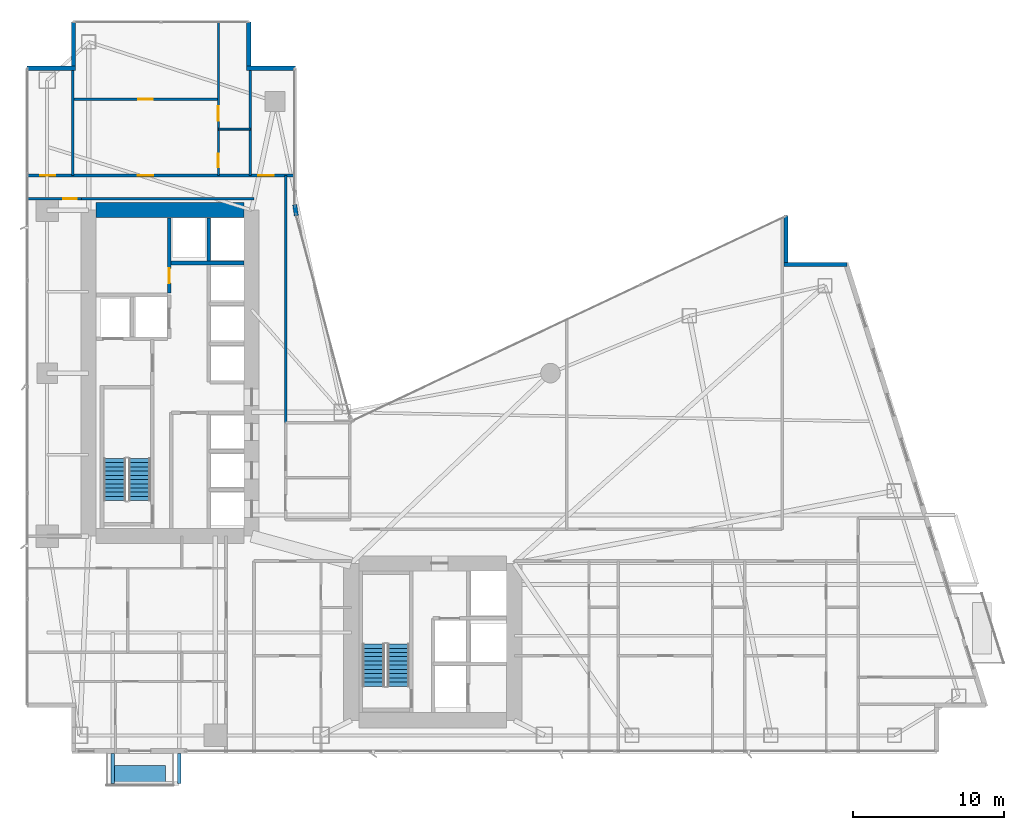
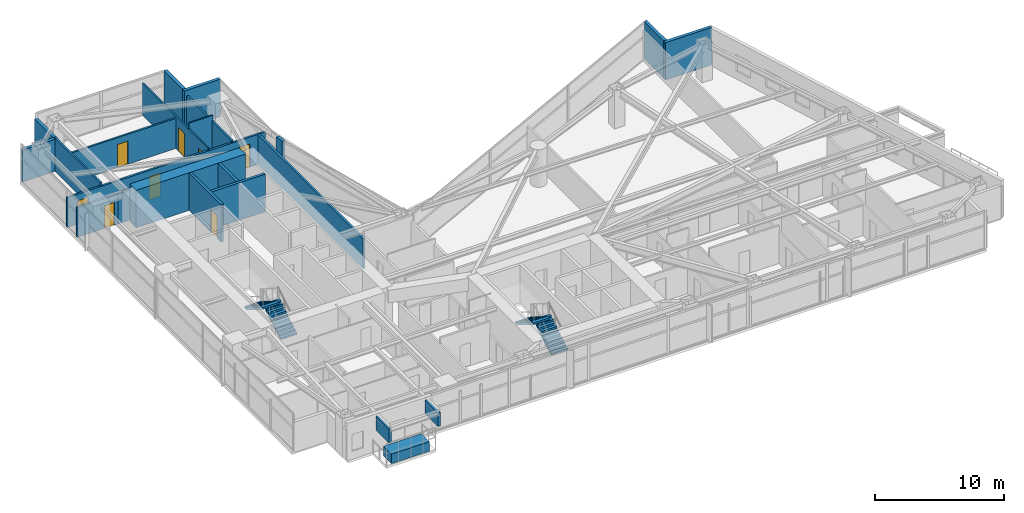
# One storey, part 25 of 30: 20 walls, 8 doors, 4 stair flights, 3 discrete accessories, 8 openings, 2 elements without a shape of their own.
"""IFC4 building model written with IfcOpenShell, lengths in metres."""

from ifc_helpers import new_model, si_unit, direction, frame, frame_2d, origin, origin_2d, place, context, subcontext, project, spatial, polyline, rectangle, outline, extrude, material, layer, layer_set, type_object, element, fill, aggregate, save


model = new_model("IFC4")

# Units and contexts
model_context = context("Model", 3, precision=1e-05, world=origin(), true_north=direction((0.0, 1.0)))
body_context = subcontext(model_context, "Body", "Model", "MODEL_VIEW")
ifc_project = project(units=[si_unit("LENGTHUNIT", "METRE"), si_unit("AREAUNIT", "SQUARE_METRE"), si_unit("VOLUMEUNIT", "CUBIC_METRE"), si_unit("PLANEANGLEUNIT", "RADIAN"), si_unit("MASSUNIT", "GRAM", prefix="KILO")], contexts=[model_context])

# Site, building, storey
site_placement = place(None, origin())
site = spatial("IfcSite", under=ifc_project, at=site_placement, CompositionType="ELEMENT")
building_placement = place(site_placement, origin())
building = spatial("IfcBuilding", under=site, at=building_placement, Name="Calvorn Quay Hotel", CompositionType="ELEMENT")
storey_placement = place(building_placement, frame((0.0, 0.0, 30.800048828125)))
storey = spatial("IfcBuildingStorey", under=building, at=storey_placement, Name="L06", CompositionType="ELEMENT", Elevation=30.800048828125)

# Wall
ifc_material_1 = material(Name="Concrete C60", Category="concrete")
ifc_layer_1 = layer(ifc_material_1, 1.0)
ifc_layer_set_1 = layer_set([ifc_layer_1], Name="WL-CORE-1000")
wall_type_1 = type_object("IfcWallType", Name="WL-CORE-1000", PredefinedType="SHEAR", material=ifc_layer_set_1)
wall_1_placement = place(storey_placement, frame((4.699951171875, 38.39990234375, 0.0), z_axis=(0.0, 0.0, 1.0), x_axis=(1.0, 0.0, 0.0)))
element("IfcWall", 1, at=wall_1_placement, inside=storey, type_object=wall_type_1, Name="West Core Shear Wall N (L06)", PredefinedType="SHEAR", context=body_context, shape_type="SweptSolid", body=[
    extrude(rectangle(XDim=9.800048828125, YDim=1.0, at=frame_2d((4.89990234375, 0.0))), origin(), (0.0, 0.0, 1.0), 3.56005859375),
])

# Wall, opening, door
ifc_material_2 = material(Name="Acoustic Fireboard Steel-Stud Partition", Category="steel")
ifc_layer_2 = layer(ifc_material_2, 0.179931640625)
ifc_layer_set_2 = layer_set([ifc_layer_2], Name="WL-CORR-FIRE-180")
wall_type_2 = type_object("IfcWallType", Name="WL-CORR-FIRE-180", PredefinedType="PARTITIONING", material=ifc_layer_set_2)
wall_2_placement = place(storey_placement, frame((0.080078125, 39.14990234375, 0.0), z_axis=(0.0, 0.0, 1.0), x_axis=(1.0, 0.0, 0.0)))
wall_2 = element("IfcWall", 2, at=wall_2_placement, inside=storey, type_object=wall_type_2, Name="Partition Wall L06-WL-WBAY-N-DOOR", PredefinedType="PARTITIONING", context=body_context, shape_type="SweptSolid", body=[
    extrude(rectangle(XDim=3.64990234375, YDim=0.179931640625, at=frame_2d((1.824951171875, 0.0))), origin(), (0.0, 0.0, 1.0), 2.83984375),
])
opening_1_placement = place(wall_2_placement, frame((2.429931640625, 0.0, 0.0)))
opening_1 = element("IfcOpeningElement", 3, at=opening_1_placement, cuts=wall_2, Name="Opening D-L06-WBN", PredefinedType="OPENING", context=body_context, shape_type="SweptSolid", body=[
    extrude(rectangle(XDim=0.89990234375, YDim=2.14990234375, at=frame_2d((0.449951171875, 1.074951171875))), frame((0.0, 0.099853515625, 0.0), z_axis=(0.0, -1.0, 0.0), x_axis=(1.0, 0.0, 0.0)), (0.0, 0.0, 1.0), 0.199951171875),
])
ifc_material_3 = material(Name="Moisture-Sealed Timber En-Suite Door", Category="wood")
door_type_1 = type_object("IfcDoorType", Name="DR-ENSUITE-900", OperationType="NOTDEFINED", PredefinedType="DOOR", material=ifc_material_3)
door_1_placement = place(opening_1_placement, origin())
door_1 = element("IfcDoor", 4, at=door_1_placement, inside=storey, type_object=door_type_1, Name="West North Bay Door (L06)", OperationType="SINGLE_SWING_LEFT", OverallHeight=2.14990234375, OverallWidth=0.89990234375, PredefinedType="DOOR", context=body_context, shape_type="SweptSolid", body=[
    extrude(rectangle(XDim=0.89990234375, YDim=2.14990234375, at=frame_2d((0.449951171875, 1.074951171875))), frame((0.0, 0.02490234375, 0.0), z_axis=(0.0, -1.0, 0.0), x_axis=(1.0, 0.0, 0.0)), (0.0, 0.0, 1.0), 0.050048828125),
])
fill(opening_1, door_1)

# Wall, openings, doors
wall_3_placement = place(storey_placement, frame((0.080078125, 40.699951171875, 0.0), z_axis=(0.0, 0.0, 1.0), x_axis=(1.0, 0.0, 0.0)))
wall_3 = element("IfcWall", 5, at=wall_3_placement, inside=storey, type_object=wall_type_2, Name="Partition Wall L06-WL-CORR-NW-N", PredefinedType="PARTITIONING", context=body_context, shape_type="SweptSolid", body=[
    extrude(rectangle(XDim=17.77001953125, YDim=0.179931640625, at=frame_2d((8.885009765625, 0.0))), origin(), (0.0, 0.0, 1.0), 2.83984375),
])
opening_2_placement = place(wall_3_placement, frame((0.89990234375, 0.0, 0.0)))
opening_2 = element("IfcOpeningElement", 6, at=opening_2_placement, cuts=wall_3, Name="Opening D-L06-NWW", PredefinedType="OPENING", context=body_context, shape_type="SweptSolid", body=[
    extrude(rectangle(XDim=1.02001953125, YDim=2.199951171875, at=frame_2d((0.510009765625, 1.10009765625))), frame((0.0, 0.099853515625, 0.0), z_axis=(0.0, -1.0, 0.0), x_axis=(1.0, 0.0, 0.0)), (0.0, 0.0, 1.0), 0.199951171875),
])
opening_3_placement = place(wall_3_placement, frame((7.3798828125, 0.0, 0.0)))
opening_3 = element("IfcOpeningElement", 7, at=opening_3_placement, cuts=wall_3, Name="Opening D-L06-U04", PredefinedType="OPENING", context=body_context, shape_type="SweptSolid", body=[
    extrude(rectangle(XDim=1.02001953125, YDim=2.199951171875, at=frame_2d((0.510009765625, 1.10009765625))), frame((0.0, 0.099853515625, 0.0), z_axis=(0.0, -1.0, 0.0), x_axis=(1.0, 0.0, 0.0)), (0.0, 0.0, 1.0), 0.199951171875),
])
opening_4_placement = place(wall_3_placement, frame((15.3701171875, 0.0, 0.0)))
opening_4 = element("IfcOpeningElement", 8, at=opening_4_placement, cuts=wall_3, Name="Opening D-L06-NWE", PredefinedType="OPENING", context=body_context, shape_type="SweptSolid", body=[
    extrude(rectangle(XDim=1.02001953125, YDim=2.199951171875, at=frame_2d((0.510009765625, 1.10009765625))), frame((0.0, 0.099853515625, 0.0), z_axis=(0.0, -1.0, 0.0), x_axis=(1.0, 0.0, 0.0)), (0.0, 0.0, 1.0), 0.199951171875),
])
ifc_material_4 = material(Name="Solid-Core Walnut Veneer Hotel Fire Door")
door_type_2 = type_object("IfcDoorType", Name="DR-GUEST-ENTRY-1020", OperationType="NOTDEFINED", PredefinedType="DOOR", material=ifc_material_4)
door_2_placement = place(opening_2_placement, origin())
door_2 = element("IfcDoor", 9, at=door_2_placement, inside=storey, type_object=door_type_2, Name="West Corner Study Door (L06)", OperationType="SINGLE_SWING_LEFT", OverallHeight=2.199951171875, OverallWidth=1.02001953125, PredefinedType="DOOR", context=body_context, shape_type="SweptSolid", body=[
    extrude(rectangle(XDim=1.02001953125, YDim=2.199951171875, at=frame_2d((0.510009765625, 1.10009765625))), frame((0.0, 0.02490234375, 0.0), z_axis=(0.0, -1.0, 0.0), x_axis=(1.0, 0.0, 0.0)), (0.0, 0.0, 1.0), 0.050048828125),
])
fill(opening_2, door_2)
door_3_placement = place(opening_3_placement, origin())
door_3 = element("IfcDoor", 10, at=door_3_placement, inside=storey, type_object=door_type_2, Name="North-West Unit Door U04 (L06)", OperationType="SINGLE_SWING_RIGHT", OverallHeight=2.199951171875, OverallWidth=1.02001953125, PredefinedType="DOOR", context=body_context, shape_type="SweptSolid", body=[
    extrude(rectangle(XDim=1.02001953125, YDim=2.199951171875, at=frame_2d((0.510009765625, 1.10009765625))), frame((0.0, 0.02490234375, 0.0), z_axis=(0.0, -1.0, 0.0), x_axis=(1.0, 0.0, 0.0)), (0.0, 0.0, 1.0), 0.050048828125),
])
fill(opening_3, door_3)
door_4_placement = place(opening_4_placement, origin())
door_4 = element("IfcDoor", 11, at=door_4_placement, inside=storey, type_object=door_type_2, Name="Inner Court Study Door (L06)", OperationType="SINGLE_SWING_RIGHT", OverallHeight=2.199951171875, OverallWidth=1.02001953125, PredefinedType="DOOR", context=body_context, shape_type="SweptSolid", body=[
    extrude(rectangle(XDim=1.02001953125, YDim=2.199951171875, at=frame_2d((0.510009765625, 1.10009765625))), frame((0.0, 0.02490234375, 0.0), z_axis=(0.0, -1.0, 0.0), x_axis=(1.0, 0.0, 0.0)), (0.0, 0.0, 1.0), 0.050048828125),
])
fill(opening_4, door_4)

# Walls
wall_4_placement = place(storey_placement, frame((17.25, 24.300048828125, 0.0), z_axis=(0.0, 0.0, 1.0), x_axis=(0.0, 1.0, 0.0)))
element("IfcWall", 12, at=wall_4_placement, inside=storey, type_object=wall_type_2, Name="Partition Wall L06-WL-NW-CLOSURE-E", PredefinedType="PARTITIONING", context=body_context, shape_type="SweptSolid", body=[
    extrude(rectangle(XDim=16.39990234375, YDim=0.179931640625, at=frame_2d((8.199951171875, 0.0))), origin(), (0.0, 0.0, 1.0), 2.83984375),
])
wall_5_placement = place(storey_placement, frame((3.679931640625, 39.14990234375, 0.0), z_axis=(0.0, 0.0, 1.0), x_axis=(1.0, 0.0, 0.0)))
element("IfcWall", 13, at=wall_5_placement, inside=storey, type_object=wall_type_2, Name="Partition Wall L06-WL-W-SPUR-S", PredefinedType="PARTITIONING", context=body_context, shape_type="SweptSolid", body=[
    extrude(rectangle(XDim=11.469970703125, YDim=0.179931640625, at=frame_2d((5.73486328125, 0.0))), origin(), (0.0, 0.0, 1.0), 2.83984375),
])
ifc_material_5 = material(Name="Moisture-Resistant Tile-Backed Partition")
ifc_layer_3 = layer(ifc_material_5, 0.125)
ifc_layer_set_3 = layer_set([ifc_layer_3], Name="WL-ENSUITE-125")
wall_type_3 = type_object("IfcWallType", Name="WL-ENSUITE-125", PredefinedType="PARTITIONING", material=ifc_layer_set_3)
wall_6_placement = place(storey_placement, frame((12.7900390625, 43.77001953125, 0.0), z_axis=(0.0, 0.0, 1.0), x_axis=(1.0, 0.0, 0.0)))
element("IfcWall", 14, at=wall_6_placement, inside=storey, type_object=wall_type_3, Name="Partition Wall L06-WL-U04-BDV", PredefinedType="PARTITIONING", context=body_context, shape_type="SweptSolid", body=[
    extrude(rectangle(XDim=2.1298828125, YDim=0.125, at=frame_2d((1.06494140625, 0.0))), origin(), (0.0, 0.0, 1.0), 3.56005859375),
])

# Wall, openings, doors
wall_7_placement = place(storey_placement, frame((12.7900390625, 40.699951171875, 0.0), z_axis=(0.0, 0.0, 1.0), x_axis=(0.0, 1.0, 0.0)))
wall_7 = element("IfcWall", 15, at=wall_7_placement, inside=storey, type_object=wall_type_3, Name="Partition Wall L06-WL-U04-BV", PredefinedType="PARTITIONING", context=body_context, shape_type="SweptSolid", body=[
    extrude(rectangle(XDim=10.239990234375, YDim=0.125, at=frame_2d((5.1201171875, 0.0))), origin(), (0.0, 0.0, 1.0), 3.0400390625),
])
opening_5_placement = place(wall_7_placement, frame((0.550048828125, 0.0, 0.0)))
opening_5 = element("IfcOpeningElement", 16, at=opening_5_placement, cuts=wall_7, Name="Opening D-L06-E04", PredefinedType="OPENING", context=body_context, shape_type="SweptSolid", body=[
    extrude(rectangle(XDim=0.89990234375, YDim=2.14990234375, at=frame_2d((0.449951171875, 1.074951171875))), frame((0.0, 0.072509765625, 0.0), z_axis=(0.0, -1.0, 0.0), x_axis=(1.0, 0.0, 0.0)), (0.0, 0.0, 1.0), 0.14501953125),
])
opening_6_placement = place(wall_7_placement, frame((3.6201171875, 0.0, 0.0)))
opening_6 = element("IfcOpeningElement", 17, at=opening_6_placement, cuts=wall_7, Name="Opening D-L06-S04", PredefinedType="OPENING", context=body_context, shape_type="SweptSolid", body=[
    extrude(rectangle(XDim=0.9599609375, YDim=2.199951171875, at=frame_2d((0.47998046875, 1.10009765625))), frame((0.0, 0.072509765625, 0.0), z_axis=(0.0, -1.0, 0.0), x_axis=(1.0, 0.0, 0.0)), (0.0, 0.0, 1.0), 0.14501953125),
])
door_5_placement = place(opening_5_placement, origin())
door_5 = element("IfcDoor", 18, at=door_5_placement, inside=storey, type_object=door_type_1, Name="En-Suite Door 04", OperationType="SINGLE_SWING_LEFT", OverallHeight=2.14990234375, OverallWidth=0.89990234375, PredefinedType="DOOR", context=body_context, shape_type="SweptSolid", body=[
    extrude(rectangle(XDim=0.89990234375, YDim=2.14990234375, at=frame_2d((0.449951171875, 1.074951171875))), frame((0.0, 0.02490234375, 0.0), z_axis=(0.0, -1.0, 0.0), x_axis=(1.0, 0.0, 0.0)), (0.0, 0.0, 1.0), 0.050048828125),
])
fill(opening_5, door_5)
ifc_material_6 = material(Name="Solid Timber Internal Suite Door", Category="wood")
door_type_3 = type_object("IfcDoorType", Name="DR-SUITE-INT-960", OperationType="NOTDEFINED", PredefinedType="DOOR", material=ifc_material_6)
door_6_placement = place(opening_6_placement, origin())
door_6 = element("IfcDoor", 19, at=door_6_placement, inside=storey, type_object=door_type_3, Name="Executive Study Door 04", OperationType="SINGLE_SWING_RIGHT", OverallHeight=2.199951171875, OverallWidth=0.9599609375, PredefinedType="DOOR", context=body_context, shape_type="SweptSolid", body=[
    extrude(rectangle(XDim=0.9599609375, YDim=2.199951171875, at=frame_2d((0.47998046875, 1.10009765625))), frame((0.0, 0.02490234375, 0.0), z_axis=(0.0, -1.0, 0.0), x_axis=(1.0, 0.0, 0.0)), (0.0, 0.0, 1.0), 0.050048828125),
])
fill(opening_6, door_6)

# Walls
ifc_material_7 = material(Name="Concrete C40", Category="concrete")
ifc_layer_4 = layer(ifc_material_7, 0.320068359375)
ifc_layer_set_4 = layer_set([ifc_layer_4], Name="WL-EXT-SPANDREL-320")
wall_type_4 = type_object("IfcWallType", Name="WL-EXT-SPANDREL-320", PredefinedType="SOLIDWALL", material=ifc_layer_set_4)
wall_8_placement = place(storey_placement, frame((17.9619140625, 38.030029296875, 0.0), z_axis=(0.0, 0.0, 1.0), x_axis=(-0.15141125477, 0.988470855377, 0.0)))
element("IfcWall", 20, at=wall_8_placement, inside=storey, type_object=wall_type_4, Name="Inner Court Corner Pier L06-ICJ2", PredefinedType="SOLIDWALL", context=body_context, shape_type="SweptSolid", body=[
    extrude(rectangle(XDim=0.738525390625, YDim=0.280029296875, at=frame_2d((0.369140625, 0.0))), origin(), (0.0, 0.0, 1.0), 3.56005859375),
])
wall_9_placement = place(storey_placement, frame((54.43994140625, 34.800048828125, 0.0), z_axis=(0.0, 0.0, 1.0), x_axis=(-1.0, 0.0, 0.0)))
element("IfcWall", 21, at=wall_9_placement, inside=storey, type_object=wall_type_4, Name="Notched Corner Spandrel L06-NE1", PredefinedType="SOLIDWALL", context=body_context, shape_type="SweptSolid", body=[
    extrude(rectangle(XDim=4.179931640625, YDim=0.280029296875, at=frame_2d((2.08984375, 0.0))), origin(), (0.0, 0.0, 1.0), 3.56005859375),
])
wall_10_placement = place(storey_placement, frame((50.39990234375, 34.93994140625, 0.0), z_axis=(0.0, 0.0, 1.0), x_axis=(0.0, 1.0, 0.0)))
element("IfcWall", 22, at=wall_10_placement, inside=storey, type_object=wall_type_4, Name="Notched Corner Spandrel L06-NE2", PredefinedType="SOLIDWALL", context=body_context, shape_type="SweptSolid", body=[
    extrude(rectangle(XDim=3.10009765625, YDim=0.280029296875, at=frame_2d((1.550048828125, 0.0))), origin(), (0.0, 0.0, 1.0), 3.56005859375),
])
wall_11_placement = place(storey_placement, frame((17.89990234375, 47.800048828125, 0.0), z_axis=(0.0, 0.0, 1.0), x_axis=(-1.0, 0.0, 0.0)))
element("IfcWall", 23, at=wall_11_placement, inside=storey, type_object=wall_type_4, Name="Notched Corner Spandrel L06-NWE1", PredefinedType="SOLIDWALL", context=body_context, shape_type="SweptSolid", body=[
    extrude(rectangle(XDim=3.239990234375, YDim=0.280029296875, at=frame_2d((1.6201171875, 0.0))), origin(), (0.0, 0.0, 1.0), 3.56005859375),
])
wall_12_placement = place(storey_placement, frame((14.800048828125, 47.93994140625, 0.0), z_axis=(0.0, 0.0, 1.0), x_axis=(0.0, 1.0, 0.0)))
element("IfcWall", 24, at=wall_12_placement, inside=storey, type_object=wall_type_4, Name="Notched Corner Spandrel L06-NWE2", PredefinedType="SOLIDWALL", context=body_context, shape_type="SweptSolid", body=[
    extrude(rectangle(XDim=2.93994140625, YDim=0.280029296875, at=frame_2d((1.469970703125, 0.0))), origin(), (0.0, 0.0, 1.0), 3.56005859375),
])
wall_13_placement = place(storey_placement, frame((3.199951171875, 50.8798828125, 0.0), z_axis=(0.0, 0.0, 1.0), x_axis=(0.0, -1.0, 0.0)))
element("IfcWall", 25, at=wall_13_placement, inside=storey, type_object=wall_type_4, Name="Notched Corner Spandrel L06-NW1", PredefinedType="SOLIDWALL", context=body_context, shape_type="SweptSolid", body=[
    extrude(rectangle(XDim=2.93994140625, YDim=0.280029296875, at=frame_2d((1.469970703125, 0.0))), origin(), (0.0, 0.0, 1.0), 3.0400390625),
])
wall_14_placement = place(storey_placement, frame((3.340087890625, 47.800048828125, 0.0), z_axis=(0.0, 0.0, 1.0), x_axis=(-1.0, 0.0, 0.0)))
element("IfcWall", 26, at=wall_14_placement, inside=storey, type_object=wall_type_4, Name="Notched Corner Spandrel L06-NW2", PredefinedType="SOLIDWALL", context=body_context, shape_type="SweptSolid", body=[
    extrude(rectangle(XDim=3.219970703125, YDim=0.280029296875, at=frame_2d((1.60986328125, 0.0))), origin(), (0.0, 0.0, 1.0), 3.0400390625),
])
ifc_material_8 = material(Name="Double-Stud Acoustic Gypsum Partition")
ifc_layer_5 = layer(ifc_material_8, 0.159912109375)
ifc_layer_set_5 = layer_set([ifc_layer_5], Name="WL-INTERSUITE-160")
wall_type_5 = type_object("IfcWallType", Name="WL-INTERSUITE-160", PredefinedType="PARTITIONING", material=ifc_layer_set_5)
wall_15_placement = place(storey_placement, frame((3.14990234375, 40.699951171875, 0.0), z_axis=(0.0, 0.0, 1.0), x_axis=(0.0, 1.0, 0.0)))
element("IfcWall", 27, at=wall_15_placement, inside=storey, type_object=wall_type_5, Name="Partition Wall L06-WL-NW-DIV-W0", PredefinedType="PARTITIONING", context=body_context, shape_type="SweptSolid", body=[
    extrude(rectangle(XDim=7.10009765625, YDim=0.159912109375, at=frame_2d((3.550048828125, 0.0))), origin(), (0.0, 0.0, 1.0), 3.139892578125),
])
wall_16_placement = place(storey_placement, frame((14.919921875, 40.699951171875, 0.0), z_axis=(0.0, 0.0, 1.0), x_axis=(0.0, 1.0, 0.0)))
element("IfcWall", 28, at=wall_16_placement, inside=storey, type_object=wall_type_5, Name="Partition Wall L06-WL-NW-DIV-E0", PredefinedType="PARTITIONING", context=body_context, shape_type="SweptSolid", body=[
    extrude(rectangle(XDim=7.10009765625, YDim=0.159912109375, at=frame_2d((3.550048828125, 0.0))), origin(), (0.0, 0.0, 1.0), 3.0400390625),
])

# Wall, opening, door
wall_17_placement = place(storey_placement, frame((3.14990234375, 45.75, 0.0), z_axis=(0.0, 0.0, 1.0), x_axis=(1.0, 0.0, 0.0)))
wall_17 = element("IfcWall", 29, at=wall_17_placement, inside=storey, type_object=wall_type_5, Name="Partition Wall L06-WL-U04-MSP", PredefinedType="PARTITIONING", context=body_context, shape_type="SweptSolid", body=[
    extrude(rectangle(XDim=9.64013671875, YDim=0.159912109375, at=frame_2d((4.820068359375, 0.0))), origin(), (0.0, 0.0, 1.0), 2.83984375),
])
opening_7_placement = place(wall_17_placement, frame((4.340087890625, 0.0, 0.0)))
opening_7 = element("IfcOpeningElement", 30, at=opening_7_placement, cuts=wall_17, Name="Opening D-L06-M04", PredefinedType="OPENING", context=body_context, shape_type="SweptSolid", body=[
    extrude(rectangle(XDim=0.9599609375, YDim=2.199951171875, at=frame_2d((0.47998046875, 1.10009765625))), frame((0.0, 0.08984375, 0.0), z_axis=(0.0, -1.0, 0.0), x_axis=(1.0, 0.0, 0.0)), (0.0, 0.0, 1.0), 0.179931640625),
])
door_7_placement = place(opening_7_placement, origin())
door_7 = element("IfcDoor", 31, at=door_7_placement, inside=storey, type_object=door_type_3, Name="Suite Bedroom Door 04", OperationType="SINGLE_SWING_LEFT", OverallHeight=2.199951171875, OverallWidth=0.9599609375, PredefinedType="DOOR", context=body_context, shape_type="SweptSolid", body=[
    extrude(rectangle(XDim=0.9599609375, YDim=2.199951171875, at=frame_2d((0.47998046875, 1.10009765625))), frame((0.0, 0.02490234375, 0.0), z_axis=(0.0, -1.0, 0.0), x_axis=(1.0, 0.0, 0.0)), (0.0, 0.0, 1.0), 0.050048828125),
])
fill(opening_7, door_7)

ifc_material_9 = material(Name="Autoclaved Aerated Masonry Block", Category="masonry")
ifc_layer_6 = layer(ifc_material_9, 0.219970703125)
ifc_layer_set_6 = layer_set([ifc_layer_6], Name="WL-LOBBY-FIRE-220")
wall_type_6 = type_object("IfcWallType", Name="WL-LOBBY-FIRE-220", PredefinedType="SOLIDWALL", material=ifc_layer_set_6)
wall_18_placement = place(storey_placement, frame((9.5400390625, 32.919921875, 0.0), z_axis=(0.0, 0.0, 1.0), x_axis=(0.0, 1.0, 0.0)))
wall_18 = element("IfcWall", 32, at=wall_18_placement, inside=storey, type_object=wall_type_6, Name="Partition Wall L06-WL-CWW-K-E", PredefinedType="SOLIDWALL", context=body_context, shape_type="SweptSolid", body=[
    extrude(rectangle(XDim=4.9599609375, YDim=0.219970703125, at=frame_2d((2.47998046875, 0.0))), origin(), (0.0, 0.0, 1.0), 3.56005859375),
])
opening_8_placement = place(wall_18_placement, frame((0.64990234375, 0.0, 0.0)))
opening_8 = element("IfcOpeningElement", 33, at=opening_8_placement, cuts=wall_18, Name="Opening D-L06-CK1", PredefinedType="OPENING", context=body_context, shape_type="SweptSolid", body=[
    extrude(rectangle(XDim=0.97998046875, YDim=2.14990234375, at=frame_2d((0.489990234375, 1.074951171875))), frame((0.0, 0.119873046875, 0.0), z_axis=(0.0, -1.0, 0.0), x_axis=(1.0, 0.0, 0.0)), (0.0, 0.0, 1.0), 0.239990234375),
])
ifc_material_10 = material(Name="Painted Steel Housekeeping/Riser Fire Door", Category="steel")
door_type_4 = type_object("IfcDoorType", Name="DR-SERVICE-980", OperationType="NOTDEFINED", PredefinedType="DOOR", material=ifc_material_10)
door_8_placement = place(opening_8_placement, origin())
door_8 = element("IfcDoor", 34, at=door_8_placement, inside=storey, type_object=door_type_4, Name="Core Linen Room Door (L06)", OperationType="SINGLE_SWING_LEFT", OverallHeight=2.14990234375, OverallWidth=0.97998046875, PredefinedType="DOOR", context=body_context, shape_type="SweptSolid", body=[
    extrude(rectangle(XDim=0.97998046875, YDim=2.14990234375, at=frame_2d((0.489990234375, 1.074951171875))), frame((0.0, 0.02490234375, 0.0), z_axis=(0.0, -1.0, 0.0), x_axis=(1.0, 0.0, 0.0)), (0.0, 0.0, 1.0), 0.050048828125),
])
fill(opening_8, door_8)

# Walls
ifc_material_11 = material(Name="Concrete C40", Category="concrete")
ifc_layer_7 = layer(ifc_material_11, 0.239990234375)
ifc_layer_set_7 = layer_set([ifc_layer_7], Name="WL-SHAFT-240")
wall_type_7 = type_object("IfcWallType", Name="WL-SHAFT-240", PredefinedType="SOLIDWALL", material=ifc_layer_set_7)
wall_19_placement = place(storey_placement, frame((9.659912109375, 34.89990234375, 0.0), z_axis=(0.0, 0.0, 1.0), x_axis=(1.0, 0.0, 0.0)))
element("IfcWall", 35, at=wall_19_placement, inside=storey, type_object=wall_type_7, Name="Partition Wall L06-WL-CWW-PLH-S", PredefinedType="SOLIDWALL", context=body_context, shape_type="SweptSolid", body=[
    extrude(rectangle(XDim=4.820068359375, YDim=0.239990234375, at=frame_2d((2.41015625, 0.0))), origin(), (0.0, 0.0, 1.0), 3.56005859375),
])
wall_20_placement = place(storey_placement, frame((12.14990234375, 35.02001953125, 0.0), z_axis=(0.0, 0.0, 1.0), x_axis=(0.0, 1.0, 0.0)))
element("IfcWall", 36, at=wall_20_placement, inside=storey, type_object=wall_type_7, Name="Partition Wall L06-WL-CWW-PLH-DIV", PredefinedType="SOLIDWALL", context=body_context, shape_type="SweptSolid", body=[
    extrude(rectangle(XDim=2.85986328125, YDim=0.239990234375, at=frame_2d((1.429931640625, 0.0))), origin(), (0.0, 0.0, 1.0), 3.56005859375),
])

# Stair, stair flights
ifc_material_12 = material(Name="Concrete C40", Category="concrete")
stair_type = type_object("IfcStairType", Name="STR-CORE-DOGLEG", PredefinedType="HALF_TURN_STAIR", material=ifc_material_12)
stair_1_placement = place(storey_placement, origin())
stair_1 = element("IfcStair", 37, at=stair_1_placement, inside=storey, type_object=stair_type, Name="L06 ST-W", PredefinedType="HALF_TURN_STAIR")
ifc_material_13 = material(Name="Concrete C40", Category="concrete")
stair_flight_type = type_object("IfcStairFlightType", Name="FLT-CORE-1550", PredefinedType="STRAIGHT", material=ifc_material_13)
stair_flight_1_placement = place(storey_placement, frame((7.574951171875, 19.14990234375, 0.0), z_axis=(0.0, 0.0, 1.0), x_axis=(0.0, 1.0, 0.0)))
stair_flight_1 = element("IfcStairFlight", 38, at=stair_flight_1_placement, type_object=stair_flight_type, Name="ST-W flight 1", NumberOfRisers=11, NumberOfTreads=10, PredefinedType="STRAIGHT", RiserHeight=0.172727273, TreadLength=0.28, context=body_context, shape_type="SweptSolid", body=[
    extrude(outline(polyline([(0.0, 0.0), (0.0, 0.172607421875), (0.280029296875, 0.172607421875), (0.280029296875, 0.345458984375), (0.56005859375, 0.345458984375), (0.56005859375, 0.51806640625), (0.840087890625, 0.51806640625), (0.840087890625, 0.69091796875), (1.1201171875, 0.69091796875), (1.1201171875, 0.863525390625), (1.39990234375, 0.863525390625), (1.39990234375, 1.036376953125), (1.679931640625, 1.036376953125), (1.679931640625, 1.208984375), (1.9599609375, 1.208984375), (1.9599609375, 1.3818359375), (2.239990234375, 1.3818359375), (2.239990234375, 1.554443359375), (2.52001953125, 1.554443359375), (2.52001953125, 1.727294921875), (2.800048828125, 1.727294921875), (2.800048828125, 1.89990234375), (2.800048828125, 1.551025390625), (0.285400390625, 0.0), (0.0, 0.0)])), frame((0.0, 0.72509765625, 0.0), z_axis=(0.0, -1.0, 0.0), x_axis=(1.0, 0.0, 0.0)), (0.0, 0.0, 1.0), 1.449951171875),
])
stair_flight_2_placement = place(storey_placement, frame((5.925048828125, 21.949951171875, 1.89990234375), z_axis=(0.0, 0.0, 1.0), x_axis=(0.0, -1.0, 0.0)))
stair_flight_2 = element("IfcStairFlight", 39, at=stair_flight_2_placement, type_object=stair_flight_type, Name="ST-W flight 2", NumberOfRisers=11, NumberOfTreads=10, PredefinedType="STRAIGHT", RiserHeight=0.172727273, TreadLength=0.28, context=body_context, shape_type="SweptSolid", body=[
    extrude(outline(polyline([(0.0, 0.0), (0.0, 0.172607421875), (0.280029296875, 0.172607421875), (0.280029296875, 0.345458984375), (0.56005859375, 0.345458984375), (0.56005859375, 0.51806640625), (0.840087890625, 0.51806640625), (0.840087890625, 0.69091796875), (1.1201171875, 0.69091796875), (1.1201171875, 0.863525390625), (1.39990234375, 0.863525390625), (1.39990234375, 1.036376953125), (1.679931640625, 1.036376953125), (1.679931640625, 1.208984375), (1.9599609375, 1.208984375), (1.9599609375, 1.3818359375), (2.239990234375, 1.3818359375), (2.239990234375, 1.554443359375), (2.52001953125, 1.554443359375), (2.52001953125, 1.727294921875), (2.800048828125, 1.727294921875), (2.800048828125, 1.89990234375), (2.800048828125, 1.551025390625), (0.285400390625, 0.0), (0.0, 0.0)])), frame((0.0, 0.72509765625, 0.0), z_axis=(0.0, -1.0, 0.0), x_axis=(1.0, 0.0, 0.0)), (0.0, 0.0, 1.0), 1.449951171875),
])
aggregate(stair_1, [stair_flight_1, stair_flight_2])

stair_2_placement = place(storey_placement, origin())
stair_2 = element("IfcStair", 40, at=stair_2_placement, inside=storey, type_object=stair_type, Name="L06 ST-E", PredefinedType="HALF_TURN_STAIR")
stair_flight_3_placement = place(storey_placement, frame((24.72509765625, 6.85009765625, 0.0), z_axis=(0.0, 0.0, 1.0), x_axis=(0.0, 1.0, 0.0)))
stair_flight_3 = element("IfcStairFlight", 41, at=stair_flight_3_placement, type_object=stair_flight_type, Name="ST-E flight 1", NumberOfRisers=11, NumberOfTreads=10, PredefinedType="STRAIGHT", RiserHeight=0.172727273, TreadLength=0.28, context=body_context, shape_type="SweptSolid", body=[
    extrude(outline(polyline([(0.0, 0.0), (0.0, 0.172607421875), (0.280029296875, 0.172607421875), (0.280029296875, 0.345458984375), (0.56005859375, 0.345458984375), (0.56005859375, 0.51806640625), (0.840087890625, 0.51806640625), (0.840087890625, 0.69091796875), (1.1201171875, 0.69091796875), (1.1201171875, 0.863525390625), (1.39990234375, 0.863525390625), (1.39990234375, 1.036376953125), (1.679931640625, 1.036376953125), (1.679931640625, 1.208984375), (1.9599609375, 1.208984375), (1.9599609375, 1.3818359375), (2.239990234375, 1.3818359375), (2.239990234375, 1.554443359375), (2.52001953125, 1.554443359375), (2.52001953125, 1.727294921875), (2.800048828125, 1.727294921875), (2.800048828125, 1.89990234375), (2.800048828125, 1.551025390625), (0.285400390625, 0.0), (0.0, 0.0)])), frame((0.0, 0.72509765625, 0.0), z_axis=(0.0, -1.0, 0.0), x_axis=(1.0, 0.0, 0.0)), (0.0, 0.0, 1.0), 1.449951171875),
])
stair_flight_4_placement = place(storey_placement, frame((23.074951171875, 9.64990234375, 1.89990234375), z_axis=(0.0, 0.0, 1.0), x_axis=(0.0, -1.0, 0.0)))
stair_flight_4 = element("IfcStairFlight", 42, at=stair_flight_4_placement, type_object=stair_flight_type, Name="ST-E flight 2", NumberOfRisers=11, NumberOfTreads=10, PredefinedType="STRAIGHT", RiserHeight=0.172727273, TreadLength=0.28, context=body_context, shape_type="SweptSolid", body=[
    extrude(outline(polyline([(0.0, 0.0), (0.0, 0.172607421875), (0.280029296875, 0.172607421875), (0.280029296875, 0.345458984375), (0.56005859375, 0.345458984375), (0.56005859375, 0.51806640625), (0.840087890625, 0.51806640625), (0.840087890625, 0.69091796875), (1.1201171875, 0.69091796875), (1.1201171875, 0.863525390625), (1.39990234375, 0.863525390625), (1.39990234375, 1.036376953125), (1.679931640625, 1.036376953125), (1.679931640625, 1.208984375), (1.9599609375, 1.208984375), (1.9599609375, 1.3818359375), (2.239990234375, 1.3818359375), (2.239990234375, 1.554443359375), (2.52001953125, 1.554443359375), (2.52001953125, 1.727294921875), (2.800048828125, 1.727294921875), (2.800048828125, 1.89990234375), (2.800048828125, 1.551025390625), (0.285400390625, 0.0), (0.0, 0.0)])), frame((0.0, 0.72509765625, 0.0), z_axis=(0.0, -1.0, 0.0), x_axis=(1.0, 0.0, 0.0)), (0.0, 0.0, 1.0), 1.449951171875),
])
aggregate(stair_2, [stair_flight_3, stair_flight_4])

# Discrete accessories
ifc_material_14 = material(Name="Steel Q355B", Category="steel")
discrete_accessory_type_1 = type_object("IfcDiscreteAccessoryType", Name="ACC-BALC-STRUT", PredefinedType="BRACKET", material=ifc_material_14)
for number, where, z_axis, x_axis, name in (
    (43, (5.800048828125, 1.405029296875, 2.01513671875), (0.0, 0.0, 1.0), (1.0, 0.0, 0.0), "Exterior Balcony Steel Bracket L07-BALC-S-A"),
    (44, (10.199951171875, 1.405029296875, 2.01513671875), (0.0, 0.0, 1.0), (1.0, 0.0, 0.0), "Exterior Balcony Steel Bracket L07-BALC-S-B"),
):
    element("IfcDiscreteAccessory", number, at=place(storey_placement, frame(where, z_axis=z_axis, x_axis=x_axis)), inside=storey, type_object=discrete_accessory_type_1, Name=name, PredefinedType="BRACKET", context=body_context, shape_type="SweptSolid", body=[
        extrude(rectangle(XDim=0.219970703125, YDim=1.989990234375, at=origin_2d()), origin(), (0.0, 0.0, 1.0), 1.300048828125),
    ])
ifc_material_15 = material(Name="Precast concrete C40", Category="concrete")
discrete_accessory_type_2 = type_object("IfcDiscreteAccessoryType", Name="ACC-TREE-PLANTER", PredefinedType="USERDEFINED", material=ifc_material_15)
discrete_accessory_placement = place(storey_placement, frame((7.60009765625, 0.989990234375, 0.0), z_axis=(0.0, 0.0, 1.0), x_axis=(1.0, 0.0, 0.0)))
element("IfcDiscreteAccessory", 45, at=discrete_accessory_placement, inside=storey, type_object=discrete_accessory_type_2, Name="Subtropical Tree Structural Planter L06-BALC-S", ObjectType="PLANTER", PredefinedType="USERDEFINED", context=body_context, shape_type="SweptSolid", body=[
    extrude(rectangle(XDim=3.39990234375, YDim=1.25, at=origin_2d()), origin(), (0.0, 0.0, 1.0), 0.89990234375),
])

save(model, "model.ifc")
